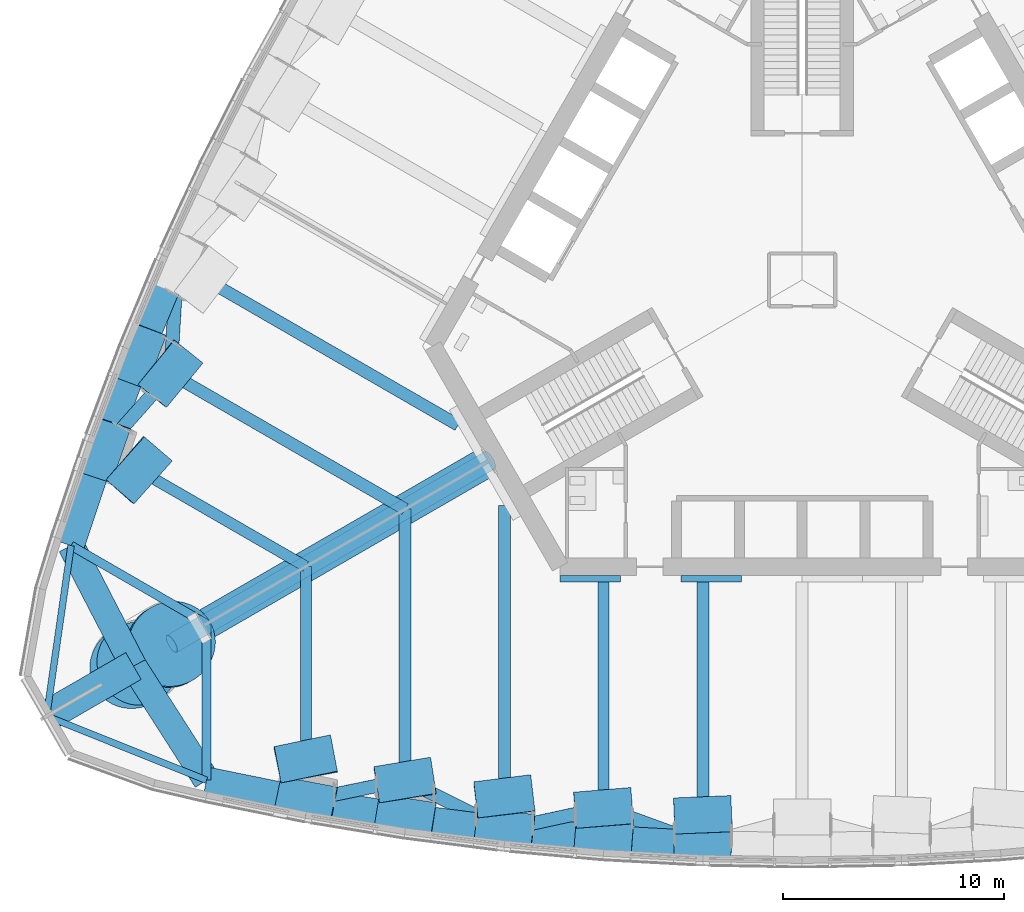
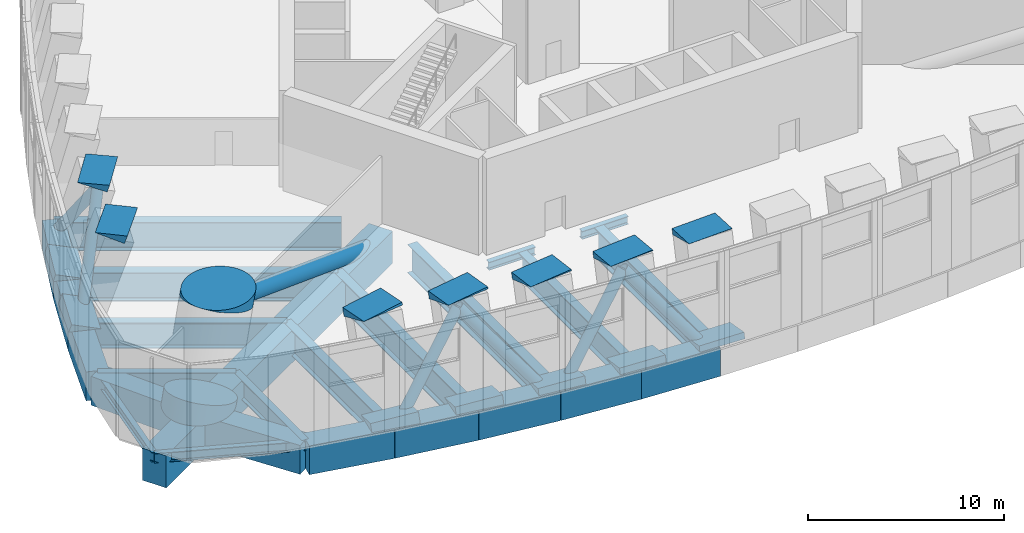
# One storey, part 2 of 25: 26 beams, 23 members.
"""IFC4 building model written with IfcOpenShell, lengths in metres."""

import ifcopenshell
import ifcopenshell.guid

model = None  # the IFC model being written
_history = None  # IfcOwnerHistory: only IFC2X3 demands one
_inside = {}  # id of a spatial element -> (the spatial element, [elements in it])
_under = {}  # id of a project, library or spatial element -> (it, [spatial elements below it])
_declared = {}  # id of a project -> (the project, [libraries it declares])
_typed = {}  # id of a type object -> (the type object, [elements of that type])
_made_of = {}  # id of a material, layer set ... -> (it, [elements and type objects made of it])


def new_model(schema):
    """Start an empty IFC model of exactly this schema.

    Asked for "IFC4X3", IfcOpenShell would pick the latest addendum, in which some entities
    have other attributes; the version numbers below select the first issue.
    IFC2X3 requires an IfcOwnerHistory on every rooted entity: one is made here for all.
    """
    global model, _history
    if schema == "IFC4X3":
        model = ifcopenshell.file(schema_version=(4, 3, 0, 0))
    else:
        model = ifcopenshell.file(schema=schema)
    _inside.clear()
    _under.clear()
    _declared.clear()
    _typed.clear()
    _made_of.clear()
    _history = None
    if model.schema == "IFC2X3":
        org = make("IfcOrganization", Name="unknown")
        user = make(
            "IfcPersonAndOrganization",
            ThePerson=make("IfcPerson", FamilyName="unknown"),
            TheOrganization=org,
        )
        app = make(
            "IfcApplication",
            ApplicationDeveloper=org,
            Version="unknown",
            ApplicationFullName="unknown",
            ApplicationIdentifier="unknown",
        )
        _history = make(
            "IfcOwnerHistory",
            OwningUser=user,
            OwningApplication=app,
            ChangeAction="ADDED",
            CreationDate=0,
        )
    return model


def make(cls, **values):
    """One entity of the class cls with the attributes given. An attribute that is None is left unset."""
    return model.create_entity(
        cls, **{name: value for name, value in values.items() if value is not None}
    )


def rooted(cls, **values):
    """An entity with a GlobalId (a new one), such as an element, a storey or a relation."""
    return make(cls, GlobalId=ifcopenshell.guid.new(), OwnerHistory=_history, **values)


def si_unit(unit_type, name, prefix=None):
    """IfcSIUnit, for example si_unit("LENGTHUNIT", "METRE", prefix="MILLI")."""
    return make("IfcSIUnit", UnitType=unit_type, Prefix=prefix, Name=name)


def assignment(units):
    """IfcUnitAssignment: the units of a project."""
    return None if units is None else make("IfcUnitAssignment", Units=units)


def point(xyz):
    """IfcCartesianPoint."""
    return None if xyz is None else make("IfcCartesianPoint", Coordinates=xyz)


def direction(xyz):
    """IfcDirection."""
    return None if xyz is None else make("IfcDirection", DirectionRatios=xyz)


def frame(location, z_axis=None, x_axis=None):
    """IfcAxis2Placement3D, a coordinate frame: its origin and axes. An axis left out is left unset."""
    return make(
        "IfcAxis2Placement3D",
        Location=point(location),
        Axis=direction(z_axis),
        RefDirection=direction(x_axis),
    )


def frame_2d(location, x_axis=None):
    """IfcAxis2Placement2D, a coordinate frame in the plane: its origin and x axis."""
    return make(
        "IfcAxis2Placement2D", Location=point(location), RefDirection=direction(x_axis)
    )


def origin():
    """The frame at (0, 0, 0) with its axes left unset."""
    return frame((0.0, 0.0, 0.0))


def origin_2d():
    """The frame at (0, 0) in the plane with its x axis left unset."""
    return frame_2d((0.0, 0.0))


def place(relative_to, where):
    """IfcLocalPlacement: puts the frame where relative to a parent placement (None: the world)."""
    return make(
        "IfcLocalPlacement", PlacementRelTo=relative_to, RelativePlacement=where
    )


def context(
    kind, dimensions, precision=None, world=None, true_north=None, identifier=None
):
    """IfcGeometricRepresentationContext, for example the 3D "Model" context."""
    return make(
        "IfcGeometricRepresentationContext",
        ContextIdentifier=identifier,
        ContextType=kind,
        CoordinateSpaceDimension=dimensions,
        Precision=precision,
        WorldCoordinateSystem=world,
        TrueNorth=true_north,
    )


def subcontext(parent, identifier, kind, view, scale=None):
    """IfcGeometricRepresentationSubContext, for example "Body" below "Model"."""
    return make(
        "IfcGeometricRepresentationSubContext",
        ContextIdentifier=identifier,
        ContextType=kind,
        ParentContext=parent,
        TargetScale=scale,
        TargetView=view,
    )


def project(units=None, contexts=None):
    """IfcProject with its units and contexts."""
    return rooted(
        "IfcProject",
        Name="project",
        RepresentationContexts=contexts,
        UnitsInContext=assignment(units),
    )


def spatial(cls, under=None, at=None, **own):
    """A site, building, storey or space (cls), placed at a placement, below another one or the project."""
    s = rooted(cls, ObjectPlacement=at, **own)
    if under is not None:
        _under.setdefault(under.id(), (under, []))[1].append(s)
    return s


def profile(cls, at=None, kind="AREA", **sizes):
    """A parametric profile (cls). Its sizes go by their IFC names, for example OverallWidth=200.0."""
    return make(cls, ProfileType=kind, Position=at, **sizes)


def rectangle(**sizes):
    """IfcRectangleProfileDef."""
    return profile("IfcRectangleProfileDef", **sizes)


def circle(**sizes):
    """IfcCircleProfileDef."""
    return profile("IfcCircleProfileDef", **sizes)


def hollow_circle(**sizes):
    """IfcCircleHollowProfileDef."""
    return profile("IfcCircleHollowProfileDef", **sizes)


def i_section(**sizes):
    """IfcIShapeProfileDef."""
    return profile("IfcIShapeProfileDef", **sizes)


def extrude(swept, where, along, depth):
    """IfcExtrudedAreaSolid: the profile swept, set in the frame where, extruded along a direction by depth."""
    return make(
        "IfcExtrudedAreaSolid",
        SweptArea=swept,
        Position=where,
        ExtrudedDirection=direction(along),
        Depth=depth,
    )


def clip(a, b, op="DIFFERENCE"):
    """IfcBooleanClippingResult: the solid a cut by the half space b."""
    return make(
        "IfcBooleanClippingResult", Operator=op, FirstOperand=a, SecondOperand=b
    )


def halfspace(plane, agree):
    """IfcHalfSpaceSolid: all space on one side of the plane z = 0 of the frame plane."""
    return make(
        "IfcHalfSpaceSolid",
        BaseSurface=make("IfcPlane", Position=plane),
        AgreementFlag=agree,
    )


def shape(context_of_items, identifier, shape_type, items):
    """IfcShapeRepresentation: the items that make up one representation, for example the "Body"."""
    return make(
        "IfcShapeRepresentation",
        ContextOfItems=context_of_items,
        RepresentationIdentifier=identifier,
        RepresentationType=shape_type,
        Items=items,
    )


def material(Name=None, Category=None):
    """IfcMaterial."""
    return make("IfcMaterial", Name=Name, Category=Category)


def material_profile(
    of_material, cross_section, Name=None, Category=None, Priority=None
):
    """IfcMaterialProfile: a cross section and its material."""
    return make(
        "IfcMaterialProfile",
        Name=Name,
        Material=of_material,
        Profile=cross_section,
        Priority=Priority,
        Category=Category,
    )


def profile_set(profiles, Name=None, composite=None):
    """IfcMaterialProfileSet."""
    return make(
        "IfcMaterialProfileSet",
        Name=Name,
        MaterialProfiles=profiles,
        CompositeProfile=composite,
    )


def made_of(thing, what):
    """Note that an element or type object is made of a material, layer set ...; save() writes the relation."""
    if what is not None:
        _made_of.setdefault(what.id(), (what, []))[1].append(thing)
    return thing


def type_object(cls, material=None, **own):
    """A type object (cls), such as IfcWallType, which elements share."""
    return made_of(rooted(cls, **own), material)


def element(
    cls,
    number,
    at=None,
    inside=None,
    cuts=None,
    type_object=None,
    material=None,
    context=None,
    identifier="Body",
    shape_type=None,
    held_by="IfcProductDefinitionShape",
    body=None,
    shapes=None,
    **own,
):
    """One element of the class cls, such as IfcWall. Its Tag is "e" and its number.

    at: its placement. inside: the storey or other place that contains it. cuts: it is an
    opening in that element (IfcRelVoidsElement). A single representation is given by context,
    identifier, shape_type and body (its items); several are given by shapes. held_by: the class
    of the entity that holds the representations. save() writes the other relations.
    """
    e = rooted(cls, Tag="e%d" % number, ObjectPlacement=at, **own)
    if body is not None:
        shapes = [shape(context, identifier, shape_type, body)]
    if shapes is not None:
        e.Representation = make(held_by, Representations=shapes)
    if inside is not None:
        _inside.setdefault(inside.id(), (inside, []))[1].append(e)
    if cuts is not None:
        rooted(
            "IfcRelVoidsElement", RelatingBuildingElement=cuts, RelatedOpeningElement=e
        )
    if type_object is not None:
        _typed.setdefault(type_object.id(), (type_object, []))[1].append(e)
    return made_of(e, material)


def aggregate(whole, parts):
    """IfcRelAggregates: a whole, such as a stair, and the parts it consists of."""
    return rooted("IfcRelAggregates", RelatingObject=whole, RelatedObjects=parts)


def save(model, path):
    """Write the relations noted so far, then the file.

    IfcRelAggregates (storeys below a building ...), IfcRelContainedInSpatialStructure (elements
    in a storey), IfcRelDefinesByType, IfcRelAssociatesMaterial and IfcRelDeclares: one each for
    every whole, place, type object, material and project.
    """
    for whole, parts in _under.values():
        aggregate(whole, parts)
    for where, things in _inside.values():
        rooted(
            "IfcRelContainedInSpatialStructure",
            RelatedElements=things,
            RelatingStructure=where,
        )
    for kind, things in _typed.values():
        rooted("IfcRelDefinesByType", RelatedObjects=things, RelatingType=kind)
    for what, things in _made_of.values():
        rooted("IfcRelAssociatesMaterial", RelatedObjects=things, RelatingMaterial=what)
    for by, libraries in _declared.values():
        rooted("IfcRelDeclares", RelatingContext=by, RelatedDefinitions=libraries)
    model.write(path)


model = new_model("IFC4")

# Units and contexts
model_context = context("Model", 3, precision=1e-05, world=origin(), true_north=direction((0.0, 1.0)))
body_context = subcontext(model_context, "Body", "Model", "MODEL_VIEW")
ifc_project = project(units=[si_unit("LENGTHUNIT", "METRE"), si_unit("AREAUNIT", "SQUARE_METRE"), si_unit("VOLUMEUNIT", "CUBIC_METRE"), si_unit("PLANEANGLEUNIT", "RADIAN"), si_unit("MASSUNIT", "GRAM", prefix="KILO")], contexts=[model_context])

# Site, building, storey
site_placement = place(None, origin())
site = spatial("IfcSite", under=ifc_project, at=site_placement, CompositionType="ELEMENT")
building_placement = place(site_placement, origin())
building = spatial("IfcBuilding", under=site, at=building_placement, Name="Trefoil Bronze Tower", CompositionType="ELEMENT")
storey_placement = place(building_placement, frame((0.0, 0.0, 178.699951171875)))
storey = spatial("IfcBuildingStorey", under=building, at=storey_placement, Name="L41", CompositionType="ELEMENT", Elevation=178.699951171875)

# Members
ifc_material_1 = material(Name="Steel C355", Category="steel")
ifc_material_profile_1 = material_profile(ifc_material_1, hollow_circle(Radius=0.304931640625, WallThickness=0.02490234375, at=origin_2d()), Name="CHS 610x25")
ifc_profile_set_1 = profile_set([ifc_material_profile_1], Name="Steel C355")
member_type_1 = type_object("IfcMemberType", Name="Belt truss diagonal CHS 610x25", PredefinedType="BRACE", material=ifc_profile_set_1)
member_1_placement = place(storey_placement, frame((-22.5, -23.592529296875, -1.14990234375), z_axis=(0.592381733858, 0.121580951562, 0.796430758829), x_axis=(-0.20105006505, 0.979580967222, 0.0)))
element("IfcMember", 1, at=member_1_placement, inside=storey, type_object=member_type_1, Name="Belt truss diagonal F1.1 L41", PredefinedType="BRACE", context=body_context, shape_type="SweptSolid", body=[
    extrude(hollow_circle(Radius=0.304931640625, WallThickness=0.02490234375, at=origin_2d()), origin(), (0.0, 0.0, 1.0), 7.596435546875),
])
member_2_placement = place(storey_placement, frame((-13.5, -24.9130859375, -1.14990234375), z_axis=(-0.572011652507, 0.285261019414, 0.769044095094), x_axis=(-0.446281172623, -0.894892795234, 0.0)))
element("IfcMember", 2, at=member_2_placement, inside=storey, type_object=member_type_1, Name="Belt truss diagonal F1.2 L41", PredefinedType="BRACE", context=body_context, shape_type="SweptSolid", body=[
    extrude(hollow_circle(Radius=0.304931640625, WallThickness=0.02490234375, at=origin_2d()), origin(), (0.0, 0.0, 1.0), 7.866943359375),
])
member_3_placement = place(storey_placement, frame((-13.5, -24.9130859375, -1.14990234375), z_axis=(0.59182902919, 0.128916750879, 0.795687672112), x_axis=(-0.212836772588, 0.977087768951, 0.0)))
element("IfcMember", 3, at=member_3_placement, inside=storey, type_object=member_type_1, Name="Belt truss diagonal F1.3 L41", PredefinedType="BRACE", context=body_context, shape_type="SweptSolid", body=[
    extrude(hollow_circle(Radius=0.304931640625, WallThickness=0.02490234375, at=origin_2d()), origin(), (0.0, 0.0, 1.0), 7.603515625),
])
member_4_placement = place(storey_placement, frame((-4.5, -25.568115234375, -1.14990234375), z_axis=(-0.583250315892, 0.21194719053, 0.784153975593), x_axis=(-0.341538346209, -0.939867840746, 0.0)))
element("IfcMember", 4, at=member_4_placement, inside=storey, type_object=member_type_1, Name="Belt truss diagonal F1.4 L41", PredefinedType="BRACE", context=body_context, shape_type="SweptSolid", body=[
    extrude(hollow_circle(Radius=0.304931640625, WallThickness=0.02490234375, at=origin_2d()), origin(), (0.0, 0.0, 1.0), 7.71533203125),
])
member_5_placement = place(storey_placement, frame((-28.325439453125, 0.76513671875, -1.14990234375), z_axis=(-0.038978648561, -0.637996064589, 0.76905246019), x_axis=(0.998138882332, -0.060981731502, 0.0)))
element("IfcMember", 5, at=member_5_placement, inside=storey, type_object=member_type_1, Name="Belt truss diagonal F3.9 L41", PredefinedType="BRACE", context=body_context, shape_type="SweptSolid", body=[
    extrude(hollow_circle(Radius=0.304931640625, WallThickness=0.02490234375, at=origin_2d()), origin(), (0.0, 0.0, 1.0), 7.866943359375),
])
member_6_placement = place(storey_placement, frame((-31.681884765625, -7.689208984375, -1.14990234375), z_axis=(0.401478834288, 0.452226118897, 0.796433476824), x_axis=(-0.747819684312, 0.663901890159, 0.0)))
element("IfcMember", 6, at=member_6_placement, inside=storey, type_object=member_type_1, Name="Belt truss diagonal F3.10 L41", PredefinedType="BRACE", context=body_context, shape_type="SweptSolid", body=[
    extrude(hollow_circle(Radius=0.304931640625, WallThickness=0.02490234375, at=origin_2d()), origin(), (0.0, 0.0, 1.0), 7.596435546875),
])
ifc_material_2 = material(Name="Concrete B80", Category="concrete")
ifc_material_profile_2 = material_profile(ifc_material_2, rectangle(XDim=2.60009765625, YDim=1.60009765625, at=origin_2d()), Name="RC 2600x1600")
ifc_profile_set_2 = profile_set([ifc_material_profile_2], Name="Concrete B80")
member_type_2 = type_object("IfcMemberType", Name="Column node RC 2600x1600", PredefinedType="MEMBER", material=ifc_profile_set_2)
member_7_placement = place(storey_placement, frame((-4.5, -25.608642578125, -0.18408203125), z_axis=(0.0, 0.215010033672, 0.976611839689), x_axis=(0.999197926162, -0.039107230105, 0.008609814585)))
element("IfcMember", 7, at=member_7_placement, inside=storey, type_object=member_type_2, Name="Column node TC2616 L41 bottom", PredefinedType="MEMBER", context=body_context, shape_type="Clipping", body=[
    clip(extrude(rectangle(XDim=2.60009765625, YDim=1.60009765625, at=origin_2d()), origin(), (0.0, 0.0, 1.0), 0.376953125), halfspace(frame((0.0, 0.0, 0.1884765625), z_axis=(0.008609814585411333, -0.2148375797486362, 0.976611839688908), x_axis=(0.0, 0.9766480392857128, 0.21484554302887648)), True)),
])
member_8_placement = place(storey_placement, frame((-4.5, -24.205810546875, 6.18408203125), z_axis=(0.0, -0.215010033672, -0.976611839689), x_axis=(-0.999197926162, -0.039107230105, 0.008609814585)))
element("IfcMember", 8, at=member_8_placement, inside=storey, type_object=member_type_2, Name="Column node TC2616 L41 top", PredefinedType="MEMBER", context=body_context, shape_type="Clipping", body=[
    clip(extrude(rectangle(XDim=2.60009765625, YDim=1.60009765625, at=origin_2d()), origin(), (0.0, 0.0, 1.0), 0.376953125), halfspace(frame((0.0, 0.0, 0.1884765625), z_axis=(-0.008609814585411333, 0.2148375797486362, 0.976611839688908), x_axis=(0.0, 0.9766480392857128, -0.21484554302887648)), True)),
])
member_9_placement = place(storey_placement, frame((-9.0, -25.3701171875, -0.204345703125), z_axis=(0.0, 0.225794437471, 0.974174969914), x_axis=(0.996802417322, -0.077842254372, 0.018042290739)))
element("IfcMember", 9, at=member_9_placement, inside=storey, type_object=member_type_2, Name="Column node TC2616 L41 bottom", PredefinedType="MEMBER", context=body_context, shape_type="Clipping", body=[
    clip(extrude(rectangle(XDim=2.60009765625, YDim=1.60009765625, at=origin_2d()), origin(), (0.0, 0.0, 1.0), 0.41943359375), halfspace(frame((0.0, 0.0, 0.209716796875), z_axis=(0.01804229073864446, -0.22507244108909455, 0.9741749699140798), x_axis=(0.0, 0.9743335674263411, 0.225109083304649)), True)),
])
member_10_placement = place(storey_placement, frame((-9.0, -23.8857421875, 6.204345703125), z_axis=(0.0, -0.225242053608, -0.974302836538), x_axis=(-0.996802417322, -0.07785247166, 0.017998152051)))
element("IfcMember", 10, at=member_10_placement, inside=storey, type_object=member_type_2, Name="Column node TC2616 L41 top", PredefinedType="MEMBER", context=body_context, shape_type="Clipping", body=[
    clip(extrude(rectangle(XDim=2.60009765625, YDim=1.60009765625, at=origin_2d()), origin(), (0.0, 0.0, 1.0), 0.41943359375), halfspace(frame((0.0, 0.0, 0.209716796875), z_axis=(-0.017998152050533768, 0.22452182351932745, 0.974302836538169), x_axis=(0.0, 0.974460679540038, -0.2245581974241139)), True)),
])
member_11_placement = place(storey_placement, frame((-13.5, -24.97119140625, -0.23193359375), z_axis=(0.0, 0.243016101667, 0.970022254554), x_axis=(0.99284889025, -0.115799212068, 0.029010749971)))
element("IfcMember", 11, at=member_11_placement, inside=storey, type_object=member_type_2, Name="Column node TC2616 L41 bottom", PredefinedType="MEMBER", context=body_context, shape_type="Clipping", body=[
    clip(extrude(rectangle(XDim=2.60009765625, YDim=1.60009765625, at=origin_2d()), origin(), (0.0, 0.0, 1.0), 0.478271484375), halfspace(frame((0.0, 0.0, 0.2392578125), z_axis=(0.029010749970759156, -0.24127826685321133, 0.9700222545542162), x_axis=(0.0, 0.9704307092138256, 0.24137986373090767)), True)),
])
member_12_placement = place(storey_placement, frame((-13.5, -23.35009765625, 6.23193359375), z_axis=(0.0, -0.243496399495, -0.969901800923), x_axis=(-0.99284889025, -0.115784832568, 0.029068086913)))
element("IfcMember", 12, at=member_12_placement, inside=storey, type_object=member_type_2, Name="Column node TC2616 L41 top", PredefinedType="MEMBER", context=body_context, shape_type="Clipping", body=[
    clip(extrude(rectangle(XDim=2.60009765625, YDim=1.60009765625, at=origin_2d()), origin(), (0.0, 0.0, 1.0), 0.478271484375), halfspace(frame((0.0, 0.0, 0.239013671875), z_axis=(-0.029068086913004887, 0.24175513001826762, 0.9699018009226854), x_axis=(0.0, 0.9703118218238935, -0.24185733073197646)), True)),
])
member_13_placement = place(storey_placement, frame((-18.0, -24.41162109375, -0.267578125), z_axis=(0.0, 0.268097190299, 0.963391870712), x_axis=(0.987407007975, -0.152409082956, 0.042413111589)))
element("IfcMember", 13, at=member_13_placement, inside=storey, type_object=member_type_2, Name="Column node TC2616 L41 bottom", PredefinedType="MEMBER", context=body_context, shape_type="Clipping", body=[
    clip(extrude(rectangle(XDim=2.60009765625, YDim=1.60009765625, at=origin_2d()), origin(), (0.0, 0.0, 1.0), 0.555419921875), halfspace(frame((0.0, 0.0, 0.27783203125), z_axis=(0.04241311158895072, -0.26472104451913364, 0.963391870712039), x_axis=(0.0, 0.9642595508691791, 0.26495946587651636)), True)),
])
member_14_placement = place(storey_placement, frame((-18.0, -22.5947265625, 6.267578125), z_axis=(0.0, -0.267689204442, -0.963505313854), x_axis=(-0.987407007975, -0.152427029718, 0.042348568019)))
element("IfcMember", 14, at=member_14_placement, inside=storey, type_object=member_type_2, Name="Column node TC2616 L41 top", PredefinedType="MEMBER", context=body_context, shape_type="Clipping", body=[
    clip(extrude(rectangle(XDim=2.60009765625, YDim=1.60009765625, at=origin_2d()), origin(), (0.0, 0.0, 1.0), 0.555419921875), halfspace(frame((0.0, 0.0, 0.277587890625), z_axis=(-0.04234856801938169, 0.2643181964253909, 0.9635053138541253), x_axis=(0.0, 0.9643704534844768, -0.26455552998594584)), True)),
])
member_15_placement = place(storey_placement, frame((-22.5, -23.6904296875, -0.3115234375), z_axis=(0.0, 0.299466874976, 0.954106697803), x_axis=(0.980854125041, -0.185806456414, 0.058319346233)))
element("IfcMember", 15, at=member_15_placement, inside=storey, type_object=member_type_2, Name="Column node TC2616 L41 bottom", PredefinedType="MEMBER", context=body_context, shape_type="Clipping", body=[
    clip(extrude(rectangle(XDim=2.60009765625, YDim=1.60009765625, at=origin_2d()), origin(), (0.0, 0.0, 1.0), 0.653076171875), halfspace(frame((0.0, 0.0, 0.32666015625), z_axis=(0.05831934623347565, -0.2937333196337488, 0.9541066978026294), x_axis=(0.0, 0.9557333765684847, 0.2942341124224095)), True)),
])
member_16_placement = place(storey_placement, frame((-22.5, -21.61279296875, 6.3115234375), z_axis=(0.0, -0.299466874976, -0.954106697803), x_axis=(-0.980854125041, -0.185806456414, 0.058319346233)))
element("IfcMember", 16, at=member_16_placement, inside=storey, type_object=member_type_2, Name="Column node TC2616 L41 top", PredefinedType="MEMBER", context=body_context, shape_type="Clipping", body=[
    clip(extrude(rectangle(XDim=2.60009765625, YDim=1.60009765625, at=origin_2d()), origin(), (0.0, 0.0, 1.0), 0.653076171875), halfspace(frame((0.0, 0.0, 0.326416015625), z_axis=(-0.05831934623347565, 0.2937333196337488, 0.9541066978026294), x_axis=(0.0, 0.9557333765684847, -0.2942341124224095)), True)),
])
member_17_placement = place(storey_placement, frame((-30.14111328125, -3.3828125, -0.267578125), z_axis=(0.232078069787, -0.133620706847, 0.963475623057), x_axis=(-0.360588373215, -0.931762411767, -0.042365470857)))
element("IfcMember", 17, at=member_17_placement, inside=storey, type_object=member_type_2, Name="Column node TC2616 L41 bottom", PredefinedType="MEMBER", context=body_context, shape_type="Clipping", body=[
    clip(extrude(rectangle(XDim=2.60009765625, YDim=1.60009765625, at=origin_2d()), origin(), (0.0, 0.0, 1.0), 0.555419921875), halfspace(frame((0.0, 0.0, 0.27783203125), z_axis=(-0.04236547085746091, -0.26442369533325305, 0.9634756230571341), x_axis=(0.0, 0.964341427692495, 0.2646613134479619)), True)),
])
member_18_placement = place(storey_placement, frame((-28.567626953125, -4.291015625, 6.267578125), z_axis=(-0.231662138208, 0.133634326405, -0.963573827232), x_axis=(0.625426273785, 0.779135340767, -0.042309535899)))
element("IfcMember", 18, at=member_18_placement, inside=storey, type_object=member_type_2, Name="Column node TC2616 L41 top", PredefinedType="MEMBER", context=body_context, shape_type="Clipping", body=[
    clip(extrude(rectangle(XDim=2.60009765625, YDim=1.60009765625, at=origin_2d()), origin(), (0.0, 0.0, 1.0), 0.555419921875), halfspace(frame((0.0, 0.0, 0.277587890625), z_axis=(0.04230953589930732, 0.26407457780820426, 0.9635738272324565), x_axis=(0.0, 0.9644374320836445, -0.26431125514420617)), True)),
])
member_19_placement = place(storey_placement, frame((-31.766357421875, -7.640380859375, -0.3115234375), z_axis=(0.259113803248, -0.149560636795, 0.954196862753), x_axis=(-0.329392938115, -0.942393586386, -0.058263373213)))
element("IfcMember", 19, at=member_19_placement, inside=storey, type_object=member_type_2, Name="Column node TC2616 L41 bottom", PredefinedType="MEMBER", context=body_context, shape_type="Clipping", body=[
    clip(extrude(rectangle(XDim=2.60009765625, YDim=1.60009765625, at=origin_2d()), origin(), (0.0, 0.0, 1.0), 0.653076171875), halfspace(frame((0.0, 0.0, 0.326416015625), z_axis=(-0.058263373213412226, -0.29345140390500707, 0.9541968627531612), x_axis=(0.0, 0.9558205660081742, 0.2939507536915217)), True)),
])
member_20_placement = place(storey_placement, frame((-29.96728515625, -8.67919921875, 6.3115234375), z_axis=(-0.259113803248, 0.149560636795, -0.954196862753), x_axis=(0.651270435805, 0.756605708931, -0.058263373213)))
element("IfcMember", 20, at=member_20_placement, inside=storey, type_object=member_type_2, Name="Column node TC2616 L41 top", PredefinedType="MEMBER", context=body_context, shape_type="Clipping", body=[
    clip(extrude(rectangle(XDim=2.60009765625, YDim=1.60009765625, at=origin_2d()), origin(), (0.0, 0.0, 1.0), 0.653076171875), halfspace(frame((0.0, 0.0, 0.326416015625), z_axis=(0.058263373213412226, 0.29345140390500707, 0.9541968627531612), x_axis=(0.0, 0.9558205660081742, -0.2939507536915217)), True)),
])
ifc_material_3 = material(Name="Concrete B80", Category="concrete")
ifc_material_profile_3 = material_profile(ifc_material_3, circle(Radius=1.89990234375, at=origin_2d()), Name="RC D3800")
ifc_profile_set_3 = profile_set([ifc_material_profile_3], Name="Concrete B80")
member_type_3 = type_object("IfcMemberType", Name="Column node RC D3800", PredefinedType="MEMBER", material=ifc_profile_set_3)
member_21_placement = place(storey_placement, frame((-30.484619140625, -17.600341796875, -0.601806640625), z_axis=(0.273828523249, 0.158177825798, 0.948682093897), x_axis=(-0.500196490846, 0.865911930017, 0.0)))
element("IfcMember", 21, at=member_21_placement, inside=storey, type_object=member_type_3, Name="Column node MC38 L41 bottom", PredefinedType="MEMBER", context=body_context, shape_type="Clipping", body=[
    clip(extrude(circle(Radius=1.89990234375, at=origin_2d()), origin(), (0.0, 0.0, 1.0), 1.268798828125), halfspace(frame((0.0, 0.0, 0.634521484375), z_axis=(0.0, 0.31623137845362453, 0.9486820938972763), x_axis=(0.0, 0.9486820938972763, -0.31623137845362453)), True)),
])
member_22_placement = place(storey_placement, frame((-28.405029296875, -16.399658203125, 6.601806640625), z_axis=(-0.273828523249, -0.158177825798, -0.948682093897), x_axis=(0.500196490846, -0.865911930017, 0.0)))
element("IfcMember", 22, at=member_22_placement, inside=storey, type_object=member_type_3, Name="Column node MC38 L41 top", PredefinedType="MEMBER", context=body_context, shape_type="Clipping", body=[
    clip(extrude(circle(Radius=1.89990234375, at=origin_2d()), origin(), (0.0, 0.0, 1.0), 1.268798828125), halfspace(frame((0.0, 0.0, 0.63427734375), z_axis=(0.0, -0.31623137845362453, 0.9486820938972763), x_axis=(0.0, 0.9486820938972763, 0.31623137845362453)), True)),
])

# Beams
ifc_material_4 = material(Name="Steel C355", Category="steel")
ifc_material_profile_4 = material_profile(ifc_material_4, i_section(OverallWidth=0.300048828125, OverallDepth=0.5, WebThickness=0.014404296875, FlangeThickness=0.028076171875, FilletRadius=0.027099609375, at=origin_2d()), Name="HEB 500")
ifc_profile_set_4 = profile_set([ifc_material_profile_4], Name="Steel C355")
beam_type_1 = type_object("IfcBeamType", Name="Core seat beam HEB 500", PredefinedType="BEAM", material=ifc_profile_set_4)
for number, where, z_axis, x_axis, name in (
    (23, (-10.9697265625, -13.550048828125, -0.5), (1.0, 0.0, 0.0), (0.0, 1.0, 0.0), "Core seat beam F1/-2 L41"),
    (24, (-5.48486328125, -13.550048828125, -0.5), (1.0, 0.0, 0.0), (0.0, 1.0, 0.0), "Core seat beam F1/-1 L41"),
):
    element("IfcBeam", number, at=place(storey_placement, frame(where, z_axis=z_axis, x_axis=x_axis)), inside=storey, type_object=beam_type_1, Name=name, PredefinedType="BEAM", context=body_context, shape_type="SweptSolid", body=[
        extrude(i_section(OverallWidth=0.300048828125, OverallDepth=0.5, WebThickness=0.014404296875, FlangeThickness=0.028076171875, FilletRadius=0.027099609375, at=origin_2d()), origin(), (0.0, 0.0, 1.0), 2.742431640625),
    ])
ifc_material_5 = material(Name="Concrete B80", Category="concrete")
ifc_material_profile_5 = material_profile(ifc_material_5, rectangle(XDim=1.39990234375, YDim=2.0, at=origin_2d()), Name="RC 1400x2000")
ifc_profile_set_5 = profile_set([ifc_material_profile_5], Name="Concrete B80")
beam_type_2 = type_object("IfcBeamType", Name="Corner cantilever RC 1400x2000", PredefinedType="BEAM", material=ifc_profile_set_5)
beam_1_placement = place(storey_placement, frame((-30.310791015625, -17.5, -1.25), z_axis=(-0.866031878637, -0.499988785058, 0.0), x_axis=(0.499988785058, -0.866031878637, 0.0)))
element("IfcBeam", 25, at=beam_1_placement, inside=storey, type_object=beam_type_2, Name="Corner cantilever K3 L41", PredefinedType="BEAM", context=body_context, shape_type="SweptSolid", body=[
    extrude(rectangle(XDim=1.39990234375, YDim=2.0, at=origin_2d()), origin(), (0.0, 0.0, 1.0), 4.54931640625),
])
ifc_material_6 = material(Name="Steel C355", Category="steel")
ifc_material_profile_6 = material_profile(ifc_material_6, i_section(OverallWidth=0.300048828125, OverallDepth=0.60009765625, WebThickness=0.015380859375, FlangeThickness=0.030029296875, FilletRadius=0.027099609375, at=origin_2d()), Name="HEB 600")
ifc_profile_set_6 = profile_set([ifc_material_profile_6], Name="Steel C355")
beam_type_3 = type_object("IfcBeamType", Name="Corner edge beam HEB 600", PredefinedType="BEAM", material=ifc_profile_set_6)
for number, where, z_axis, x_axis, name in (
    (26, (-27.0, -22.67724609375, -0.550048828125), (-0.928375332495, 0.371643972122, 0.0), (-0.371643972122, -0.928375332495, 0.0), "Corner edge beam F1B L41"),
    (27, (-33.13916015625, -12.044189453125, -0.550048828125), (-0.142327214588, -0.989819662357, 0.0), (0.989819662357, -0.142327214588, 0.0), "Corner edge beam F3A L41"),
):
    element("IfcBeam", number, at=place(storey_placement, frame(where, z_axis=z_axis, x_axis=x_axis)), inside=storey, type_object=beam_type_3, Name=name, PredefinedType="BEAM", context=body_context, shape_type="SweptSolid", body=[
        extrude(i_section(OverallWidth=0.300048828125, OverallDepth=0.60009765625, WebThickness=0.015380859375, FlangeThickness=0.030029296875, FilletRadius=0.027099609375, at=origin_2d()), origin(), (0.0, 0.0, 1.0), 7.81005859375),
    ])
ifc_material_7 = material(Name="Concrete B80", Category="concrete")
ifc_material_profile_7 = material_profile(ifc_material_7, rectangle(XDim=1.39990234375, YDim=2.0, at=origin_2d()), Name="RC 1400x2000")
ifc_profile_set_7 = profile_set([ifc_material_profile_7], Name="Concrete B80")
beam_type_4 = type_object("IfcBeamType", Name="Corner girder RC 1400x2000", PredefinedType="BEAM", material=ifc_profile_set_7)
beam_2_placement = place(storey_placement, frame((-14.202880859375, -8.199951171875, -1.25), z_axis=(-0.866022084834, -0.500005748546, 0.0), x_axis=(0.500005748546, -0.866022084834, 0.0)))
element("IfcBeam", 28, at=beam_2_placement, inside=storey, type_object=beam_type_4, Name="Corner girder K3 L41", PredefinedType="BEAM", context=body_context, shape_type="SweptSolid", body=[
    extrude(rectangle(XDim=1.39990234375, YDim=2.0, at=origin_2d()), origin(), (0.0, 0.0, 1.0), 18.599853515625),
])
ifc_material_8 = material(Name="Concrete B80", Category="concrete")
ifc_material_profile_8 = material_profile(ifc_material_8, rectangle(XDim=1.199951171875, YDim=1.800048828125, at=origin_2d()), Name="RC 1200x1800")
ifc_profile_set_8 = profile_set([ifc_material_profile_8], Name="Concrete B80")
beam_type_5 = type_object("IfcBeamType", Name="End spandrel beam RC 1200x1800", PredefinedType="SPANDREL", material=ifc_profile_set_8)
for number, where, z_axis, x_axis, name in (
    (29, (-30.310791015625, -17.5, -1.14990234375), (0.53874814953, -0.84246687257, 0.0), (0.84246687257, 0.53874814953, 0.0), "Spandrel F1.1 L41"),
    (30, (-33.13916015625, -12.044189453125, -1.14990234375), (0.460244107083, -0.887792409235, 0.0), (0.887792409235, 0.460244107083, 0.0), "Spandrel F3.14 L41"),
):
    element("IfcBeam", number, at=place(storey_placement, frame(where, z_axis=z_axis, x_axis=x_axis)), inside=storey, type_object=beam_type_5, Name=name, PredefinedType="SPANDREL", context=body_context, shape_type="SweptSolid", body=[
        extrude(rectangle(XDim=1.199951171875, YDim=1.800048828125, at=origin_2d()), origin(), (0.0, 0.0, 1.0), 6.145263671875),
    ])
ifc_material_9 = material(Name="Steel C355", Category="steel")
ifc_material_profile_9 = material_profile(ifc_material_9, i_section(OverallWidth=0.39990234375, OverallDepth=1.199951171875, WebThickness=0.02001953125, FlangeThickness=0.0400390625, FilletRadius=0.010009765625, at=origin_2d()), Name="WPG 1200")
ifc_profile_set_9 = profile_set([ifc_material_profile_9], Name="Steel C355")
beam_type_6 = type_object("IfcBeamType", Name="Floor beam WPG 1200", PredefinedType="BEAM", material=ifc_profile_set_9)
for number, where, z_axis, x_axis, name in (
    (31, (-27.0, -22.67724609375, -0.849853515625), (0.0, 1.0, 0.0), (-1.0, 0.0, 0.0), "Floor beam F1/-6 L41"),
    (32, (-33.13916015625, -12.044189453125, -0.849853515625), (0.866041060244, -0.499972881236, 0.0), (0.499972881236, 0.866041060244, 0.0), "Floor beam F3/+6 L41"),
):
    element("IfcBeam", number, at=place(storey_placement, frame(where, z_axis=z_axis, x_axis=x_axis)), inside=storey, type_object=beam_type_6, Name=name, PredefinedType="BEAM", context=body_context, shape_type="SweptSolid", body=[
        extrude(i_section(OverallWidth=0.39990234375, OverallDepth=1.199951171875, WebThickness=0.02001953125, FlangeThickness=0.0400390625, FilletRadius=0.010009765625, at=origin_2d()), origin(), (0.0, 0.0, 1.0), 7.0888671875),
    ])
ifc_material_10 = material(Name="Steel C355", Category="steel")
ifc_material_profile_10 = material_profile(ifc_material_10, i_section(OverallWidth=0.5, OverallDepth=1.60009765625, WebThickness=0.02587890625, FlangeThickness=0.050048828125, FilletRadius=0.011962890625, at=origin_2d()), Name="WPG 1600")
ifc_profile_set_10 = profile_set([ifc_material_profile_10], Name="Steel C355")
beam_type_7 = type_object("IfcBeamType", Name="Floor beam WPG 1600", PredefinedType="BEAM", material=ifc_profile_set_10)
beam_3_placement = place(storey_placement, frame((-22.5, -23.592529296875, -1.050048828125), z_axis=(0.0, 1.0, 0.0), x_axis=(-1.0, 0.0, 0.0)))
element("IfcBeam", 33, at=beam_3_placement, inside=storey, type_object=beam_type_7, Name="Floor beam F1/-5 L41", PredefinedType="BEAM", context=body_context, shape_type="SweptSolid", body=[
    extrude(i_section(OverallWidth=0.5, OverallDepth=1.60009765625, WebThickness=0.02587890625, FlangeThickness=0.050048828125, FilletRadius=0.011962890625, at=origin_2d()), origin(), (0.0, 0.0, 1.0), 10.60205078125),
])
beam_4_placement = place(storey_placement, frame((-9.0, -25.32275390625, -1.050048828125), z_axis=(0.0, 1.0, 0.0), x_axis=(-1.0, 0.0, 0.0)))
element("IfcBeam", 34, at=beam_4_placement, inside=storey, type_object=beam_type_7, Name="Floor beam F1/-2 L41", PredefinedType="BEAM", context=body_context, shape_type="SweptSolid", body=[
    extrude(i_section(OverallWidth=0.5, OverallDepth=1.60009765625, WebThickness=0.02587890625, FlangeThickness=0.050048828125, FilletRadius=0.011962890625, at=origin_2d()), origin(), (0.0, 0.0, 1.0), 11.622802734375),
])
beam_5_placement = place(storey_placement, frame((-31.681884765625, -7.689208984375, -1.050048828125), z_axis=(0.866021079084, -0.500007490527, 0.0), x_axis=(0.500007490527, 0.866021079084, 0.0)))
element("IfcBeam", 35, at=beam_5_placement, inside=storey, type_object=beam_type_7, Name="Floor beam F3/+5 L41", PredefinedType="BEAM", context=body_context, shape_type="SweptSolid", body=[
    extrude(i_section(OverallWidth=0.5, OverallDepth=1.60009765625, WebThickness=0.02587890625, FlangeThickness=0.050048828125, FilletRadius=0.011962890625, at=origin_2d()), origin(), (0.0, 0.0, 1.0), 10.602294921875),
])
ifc_material_11 = material(Name="Steel C355", Category="steel")
ifc_material_profile_11 = material_profile(ifc_material_11, i_section(OverallWidth=0.550048828125, OverallDepth=1.800048828125, WebThickness=0.029052734375, FlangeThickness=0.054931640625, FilletRadius=0.013916015625, at=origin_2d()), Name="WPG 1800")
ifc_profile_set_11 = profile_set([ifc_material_profile_11], Name="Steel C355")
beam_type_8 = type_object("IfcBeamType", Name="Floor beam WPG 1800", PredefinedType="BEAM", material=ifc_profile_set_11)
beam_6_placement = place(storey_placement, frame((-18.0, -24.337158203125, -1.14990234375), z_axis=(0.0, 1.0, 0.0), x_axis=(-1.0, 0.0, 0.0)))
element("IfcBeam", 36, at=beam_6_placement, inside=storey, type_object=beam_type_8, Name="Floor beam F1/-4 L41", PredefinedType="BEAM", context=body_context, shape_type="SweptSolid", body=[
    extrude(i_section(OverallWidth=0.550048828125, OverallDepth=1.800048828125, WebThickness=0.029052734375, FlangeThickness=0.054931640625, FilletRadius=0.013916015625, at=origin_2d()), origin(), (0.0, 0.0, 1.0), 13.94482421875),
])
beam_7_placement = place(storey_placement, frame((-13.5, -24.9130859375, -1.14990234375), z_axis=(0.0, 1.0, 0.0), x_axis=(-1.0, 0.0, 0.0)))
element("IfcBeam", 37, at=beam_7_placement, inside=storey, type_object=beam_type_8, Name="Floor beam F1/-3 L41", PredefinedType="BEAM", context=body_context, shape_type="SweptSolid", body=[
    extrude(i_section(OverallWidth=0.550048828125, OverallDepth=1.800048828125, WebThickness=0.029052734375, FlangeThickness=0.054931640625, FilletRadius=0.013916015625, at=origin_2d()), origin(), (0.0, 0.0, 1.0), 14.69580078125),
])
beam_8_placement = place(storey_placement, frame((-4.5, -25.568115234375, -1.14990234375), z_axis=(0.0, 1.0, 0.0), x_axis=(-1.0, 0.0, 0.0)))
element("IfcBeam", 38, at=beam_8_placement, inside=storey, type_object=beam_type_8, Name="Floor beam F1/-1 L41", PredefinedType="BEAM", context=body_context, shape_type="SweptSolid", body=[
    extrude(i_section(OverallWidth=0.550048828125, OverallDepth=1.800048828125, WebThickness=0.029052734375, FlangeThickness=0.054931640625, FilletRadius=0.013916015625, at=origin_2d()), origin(), (0.0, 0.0, 1.0), 11.8681640625),
])
beam_9_placement = place(storey_placement, frame((-28.325439453125, 0.76513671875, -1.14990234375), z_axis=(0.866027342682, -0.499996641717, 0.0), x_axis=(0.499996641717, 0.866027342682, 0.0)))
element("IfcBeam", 39, at=beam_9_placement, inside=storey, type_object=beam_type_8, Name="Floor beam F3/+3 L41", PredefinedType="BEAM", context=body_context, shape_type="SweptSolid", body=[
    extrude(i_section(OverallWidth=0.550048828125, OverallDepth=1.800048828125, WebThickness=0.029052734375, FlangeThickness=0.054931640625, FilletRadius=0.013916015625, at=origin_2d()), origin(), (0.0, 0.0, 1.0), 14.69580078125),
])
beam_10_placement = place(storey_placement, frame((-30.07666015625, -3.419921875, -1.14990234375), z_axis=(0.866026983775, -0.499997263366, 0.0), x_axis=(0.499997263366, 0.866026983775, 0.0)))
element("IfcBeam", 40, at=beam_10_placement, inside=storey, type_object=beam_type_8, Name="Floor beam F3/+4 L41", PredefinedType="BEAM", context=body_context, shape_type="SweptSolid", body=[
    extrude(i_section(OverallWidth=0.550048828125, OverallDepth=1.800048828125, WebThickness=0.029052734375, FlangeThickness=0.054931640625, FilletRadius=0.013916015625, at=origin_2d()), origin(), (0.0, 0.0, 1.0), 13.94482421875),
])

# Member
ifc_material_12 = material(Name="Steel C355", Category="steel")
ifc_material_profile_12 = material_profile(ifc_material_12, hollow_circle(Radius=0.45703125, WallThickness=0.031982421875, at=origin_2d()), Name="CHS 914x32")
ifc_profile_set_12 = profile_set([ifc_material_profile_12], Name="Steel C355")
member_type_4 = type_object("IfcMemberType", Name="Outrigger brace CHS 914x32", PredefinedType="BRACE", material=ifc_profile_set_12)
member_23_placement = place(storey_placement, frame((-14.159423828125, -8.175048828125, -1.25), z_axis=(-0.810787923543, -0.468102289203, 0.35143020627), x_axis=(0.49999492366, -0.866028334591, 0.0)))
element("IfcMember", 41, at=member_23_placement, inside=storey, type_object=member_type_4, Name="Outrigger brace K3 L41", PredefinedType="BRACE", context=body_context, shape_type="SweptSolid", body=[
    extrude(hollow_circle(Radius=0.45703125, WallThickness=0.031982421875, at=origin_2d()), origin(), (0.0, 0.0, 1.0), 17.784423828125),
])

# Beams
ifc_material_13 = material(Name="Concrete B80", Category="concrete")
ifc_material_profile_13 = material_profile(ifc_material_13, rectangle(XDim=1.199951171875, YDim=1.800048828125, at=origin_2d()), Name="RC 1200x1800")
ifc_profile_set_13 = profile_set([ifc_material_profile_13], Name="Concrete B80")
beam_type_9 = type_object("IfcBeamType", Name="Spandrel beam RC 1200x1800", PredefinedType="SPANDREL", material=ifc_profile_set_13)
beam_11_placement = place(storey_placement, frame((-27.0, -22.67724609375, -1.14990234375), z_axis=(0.979935430296, -0.199315208777, 0.0), x_axis=(0.199315208777, 0.979935430296, 0.0)))
element("IfcBeam", 42, at=beam_11_placement, inside=storey, type_object=beam_type_9, Name="Spandrel F1.2 L41", PredefinedType="SPANDREL", context=body_context, shape_type="SweptSolid", body=[
    extrude(rectangle(XDim=1.199951171875, YDim=1.800048828125, at=origin_2d()), origin(), (0.0, 0.0, 1.0), 4.592041015625),
])
beam_12_placement = place(storey_placement, frame((-22.5, -23.592529296875, -1.14990234375), z_axis=(0.986584214684, -0.163253138823, 0.0), x_axis=(0.163253138823, 0.986584214684, 0.0)))
element("IfcBeam", 43, at=beam_12_placement, inside=storey, type_object=beam_type_9, Name="Spandrel F1.3 L41", PredefinedType="SPANDREL", context=body_context, shape_type="SweptSolid", body=[
    extrude(rectangle(XDim=1.199951171875, YDim=1.800048828125, at=origin_2d()), origin(), (0.0, 0.0, 1.0), 4.561279296875),
])
beam_13_placement = place(storey_placement, frame((-18.0, -24.337158203125, -1.14990234375), z_axis=(0.991909314257, -0.126948463126, 0.0), x_axis=(0.126948463126, 0.991909314257, 0.0)))
element("IfcBeam", 44, at=beam_13_placement, inside=storey, type_object=beam_type_9, Name="Spandrel F1.4 L41", PredefinedType="SPANDREL", context=body_context, shape_type="SweptSolid", body=[
    extrude(rectangle(XDim=1.199951171875, YDim=1.800048828125, at=origin_2d()), origin(), (0.0, 0.0, 1.0), 4.53662109375),
])
beam_14_placement = place(storey_placement, frame((-13.5, -24.9130859375, -1.14990234375), z_axis=(0.995881683815, -0.090662405894, 0.0), x_axis=(0.090662405894, 0.995881683815, 0.0)))
element("IfcBeam", 45, at=beam_14_placement, inside=storey, type_object=beam_type_9, Name="Spandrel F1.5 L41", PredefinedType="SPANDREL", context=body_context, shape_type="SweptSolid", body=[
    extrude(rectangle(XDim=1.199951171875, YDim=1.800048828125, at=origin_2d()), origin(), (0.0, 0.0, 1.0), 4.5185546875),
])
beam_15_placement = place(storey_placement, frame((-9.0, -25.32275390625, -1.14990234375), z_axis=(0.998516832602, -0.054443870267, 0.0), x_axis=(0.054443870267, 0.998516832602, 0.0)))
element("IfcBeam", 46, at=beam_15_placement, inside=storey, type_object=beam_type_9, Name="Spandrel F1.6 L41", PredefinedType="SPANDREL", context=body_context, shape_type="SweptSolid", body=[
    extrude(rectangle(XDim=1.199951171875, YDim=1.800048828125, at=origin_2d()), origin(), (0.0, 0.0, 1.0), 4.506591796875),
])
beam_16_placement = place(storey_placement, frame((-28.325439453125, 0.76513671875, -1.14990234375), z_axis=(-0.386013490858, -0.922493135408, 0.0), x_axis=(0.922493135408, -0.386013490858, 0.0)))
element("IfcBeam", 47, at=beam_16_placement, inside=storey, type_object=beam_type_9, Name="Spandrel F3.11 L41", PredefinedType="SPANDREL", context=body_context, shape_type="SweptSolid", body=[
    extrude(rectangle(XDim=1.199951171875, YDim=1.800048828125, at=origin_2d()), origin(), (0.0, 0.0, 1.0), 4.53662109375),
])
beam_17_placement = place(storey_placement, frame((-30.07666015625, -3.419921875, -1.14990234375), z_axis=(-0.351938675523, -0.936023059904, 0.0), x_axis=(0.936023059904, -0.351938675523, 0.0)))
element("IfcBeam", 48, at=beam_17_placement, inside=storey, type_object=beam_type_9, Name="Spandrel F3.12 L41", PredefinedType="SPANDREL", context=body_context, shape_type="SweptSolid", body=[
    extrude(rectangle(XDim=1.199951171875, YDim=1.800048828125, at=origin_2d()), origin(), (0.0, 0.0, 1.0), 4.56103515625),
])
beam_18_placement = place(storey_placement, frame((-31.681884765625, -7.689208984375, -1.14990234375), z_axis=(-0.31732802068, -0.948315837309, 0.0), x_axis=(0.948315837309, -0.31732802068, 0.0)))
element("IfcBeam", 49, at=beam_18_placement, inside=storey, type_object=beam_type_9, Name="Spandrel F3.13 L41", PredefinedType="SPANDREL", context=body_context, shape_type="SweptSolid", body=[
    extrude(rectangle(XDim=1.199951171875, YDim=1.800048828125, at=origin_2d()), origin(), (0.0, 0.0, 1.0), 4.59228515625),
])

save(model, "model.ifc")
